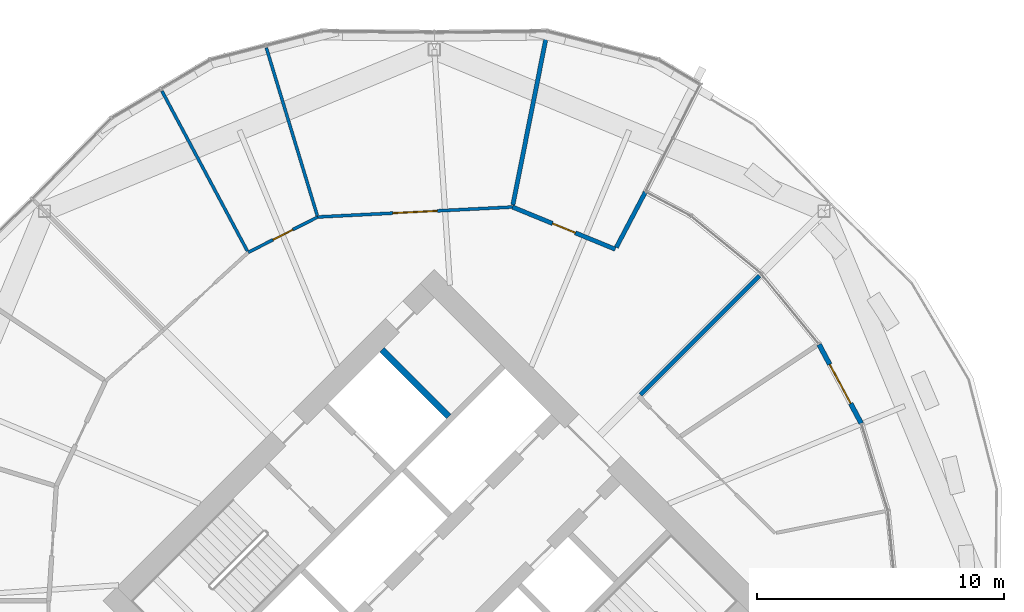
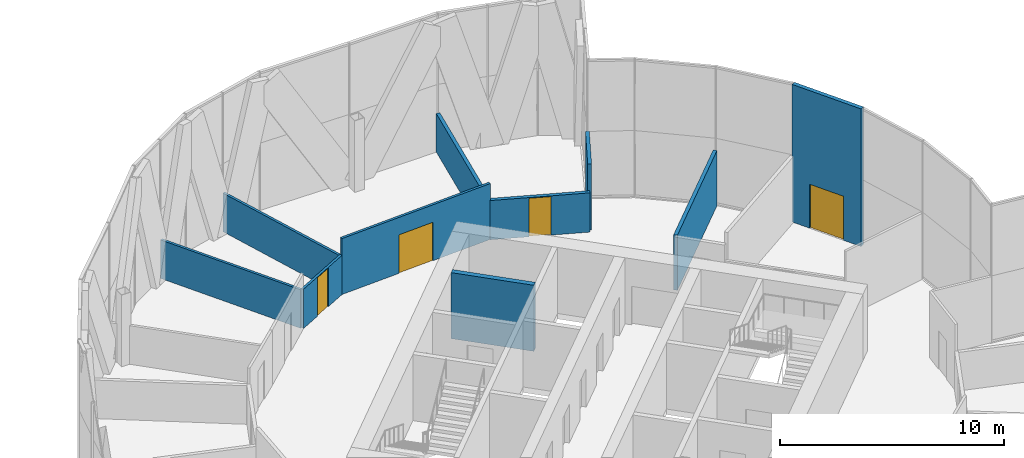
# One storey, part 23 of 27: 10 walls, 4 doors, 4 openings.
"""IFC4 building model written with IfcOpenShell, lengths in metres."""

from ifc_helpers import new_model, si_unit, direction, frame, frame_2d, origin, place, context, subcontext, project, spatial, rectangle, extrude, material, layer, layer_set, type_object, element, fill, save


model = new_model("IFC4")

# Units and contexts
model_context = context("Model", 3, precision=1e-05, world=origin(), true_north=direction((0.0, 1.0)))
body_context = subcontext(model_context, "Body", "Model", "MODEL_VIEW")
ifc_project = project(units=[si_unit("LENGTHUNIT", "METRE"), si_unit("AREAUNIT", "SQUARE_METRE"), si_unit("VOLUMEUNIT", "CUBIC_METRE"), si_unit("PLANEANGLEUNIT", "RADIAN"), si_unit("MASSUNIT", "GRAM", prefix="KILO")], contexts=[model_context])

# Site, building, storey
site_placement = place(None, origin())
site = spatial("IfcSite", under=ifc_project, at=site_placement, CompositionType="ELEMENT")
building_placement = place(site_placement, origin())
building = spatial("IfcBuilding", under=site, at=building_placement, Name="Ogive Gate Towers", CompositionType="ELEMENT")
storey_placement = place(building_placement, frame((0.0, 0.0, 123.0)))
storey = spatial("IfcBuildingStorey", under=building, at=storey_placement, Name="L29", CompositionType="ELEMENT", Elevation=123.0)

# Walls
ifc_material_1 = material(Name="Gypsum board acoustic partition")
ifc_layer_1 = layer(ifc_material_1, 0.175048828125)
ifc_layer_set_1 = layer_set([ifc_layer_1], Name="Acoustic partition 175")
wall_type_1 = type_object("IfcWallType", Name="Acoustic partition 175", PredefinedType="PARTITIONING", material=ifc_layer_set_1)
wall_1_placement = place(storey_placement, frame((49.187255859375, 13.187255859375, 0.0), z_axis=(0.0, 0.0, 1.0), x_axis=(-0.707106781187, -0.707106781187, 0.0)))
element("IfcWall", 1, at=wall_1_placement, inside=storey, type_object=wall_type_1, Name="Partition T2-L29-003", PredefinedType="PARTITIONING", context=body_context, shape_type="SweptSolid", body=[
    extrude(rectangle(XDim=6.83154296875, YDim=0.175048828125, at=frame_2d((3.415771484375, 0.0))), origin(), (0.0, 0.0, 1.0), 3.010009765625),
])
wall_2_placement = place(storey_placement, frame((44.561279296875, 16.58251953125, 0.0), z_axis=(0.0, 0.0, 1.0), x_axis=(-0.465001537554, -0.885309872346, 0.0)))
element("IfcWall", 2, at=wall_2_placement, inside=storey, type_object=wall_type_1, Name="Partition T2-L29-004", PredefinedType="PARTITIONING", context=body_context, shape_type="SweptSolid", body=[
    extrude(rectangle(XDim=2.5400390625, YDim=0.175048828125, at=frame_2d((1.27001953125, 0.0))), origin(), (0.0, 0.0, 1.0), 3.60009765625),
])
wall_3_placement = place(storey_placement, frame((40.5673828125, 23.00048828125, 0.0), z_axis=(0.0, 0.0, 1.0), x_axis=(-0.194789952069, -0.980844979889, 0.0)))
element("IfcWall", 3, at=wall_3_placement, inside=storey, type_object=wall_type_1, Name="Partition T2-L29-005", PredefinedType="PARTITIONING", context=body_context, shape_type="SweptSolid", body=[
    extrude(rectangle(XDim=7.08154296875, YDim=0.175048828125, at=frame_2d((3.540771484375, 0.0))), origin(), (0.0, 0.0, 1.0), 2.10009765625),
])

# Wall, opening, door
wall_4_placement = place(storey_placement, frame((39.1708984375, 15.96875, 0.0), z_axis=(0.0, 0.0, 1.0), x_axis=(0.924996361834, -0.379975960547, 0.0)))
wall_4 = element("IfcWall", 4, at=wall_4_placement, inside=storey, type_object=wall_type_1, Name="Partition T2-L29-034", PredefinedType="PARTITIONING", context=body_context, shape_type="SweptSolid", body=[
    extrude(rectangle(XDim=4.50732421875, YDim=0.175048828125, at=frame_2d((2.253662109375, 0.0))), origin(), (0.0, 0.0, 1.0), 2.139892578125),
])
opening_1_placement = place(wall_4_placement, frame((1.75390625, 0.0, 0.0)))
opening_1 = element("IfcOpeningElement", 5, at=opening_1_placement, cuts=wall_4, Name="Opening T2-L29-D11", PredefinedType="OPENING", context=body_context, shape_type="SweptSolid", body=[
    extrude(rectangle(XDim=1.0, YDim=2.10009765625, at=frame_2d((0.5, 1.050048828125))), frame((0.0, 0.09765625, 0.0), z_axis=(0.0, -1.0, 0.0), x_axis=(1.0, 0.0, 0.0)), (0.0, 0.0, 1.0), 0.195068359375),
])
ifc_material_2 = material(Name="Timber door", Category="wood")
door_type_1 = type_object("IfcDoorType", Name="Door 1000", OperationType="NOTDEFINED", PredefinedType="DOOR", material=ifc_material_2)
door_1_placement = place(opening_1_placement, origin())
door_1 = element("IfcDoor", 6, at=door_1_placement, inside=storey, type_object=door_type_1, Name="Door T2-L29-D11", OperationType="SINGLE_SWING_LEFT", OverallHeight=2.10009765625, OverallWidth=1.0, PredefinedType="DOOR", context=body_context, shape_type="SweptSolid", body=[
    extrude(rectangle(XDim=1.0, YDim=2.10009765625, at=frame_2d((0.5, 1.050048828125))), frame((0.0, 0.02490234375, 0.0), z_axis=(0.0, -1.0, 0.0), x_axis=(1.0, 0.0, 0.0)), (0.0, 0.0, 1.0), 0.050048828125),
])
fill(opening_1, door_1)

ifc_material_3 = material(Name="Pale metal aluminium", Category="aluminium")
ifc_layer_2 = layer(ifc_material_3, 0.199951171875)
ifc_layer_set_2 = layer_set([ifc_layer_2], Name="Garden infill wall")
wall_type_2 = type_object("IfcWallType", Name="Garden infill wall", PredefinedType="SOLIDWALL", material=ifc_layer_set_2)
wall_5_placement = place(storey_placement, frame((51.602294921875, 10.395263671875, 0.0), z_axis=(0.0, 0.0, 1.0), x_axis=(0.471342957375, -0.881950007956, 0.0)))
wall_5 = element("IfcWall", 7, at=wall_5_placement, inside=storey, type_object=wall_type_2, Name="Garden infill wall", PredefinedType="SOLIDWALL", context=body_context, shape_type="SweptSolid", body=[
    extrude(rectangle(XDim=3.625732421875, YDim=0.199951171875, at=frame_2d((1.81298828125, 0.0))), origin(), (0.0, 0.0, 1.0), 7.5),
])
opening_2_placement = place(wall_5_placement, frame((0.912841796875, 0.0, 0.0)))
opening_2 = element("IfcOpeningElement", 8, at=opening_2_placement, cuts=wall_5, Name="Opening ED1-L29-01", PredefinedType="OPENING", context=body_context, shape_type="SweptSolid", body=[
    extrude(rectangle(XDim=1.800048828125, YDim=2.39990234375, at=frame_2d((0.89990234375, 1.199951171875))), frame((0.0, 0.10986328125, 0.0), z_axis=(0.0, -1.0, 0.0), x_axis=(1.0, 0.0, 0.0)), (0.0, 0.0, 1.0), 0.219970703125),
])
door_type_2 = type_object("IfcDoorType", Name="Garden door 1800 x 2400", OperationType="DOUBLE_DOOR_SINGLE_SWING", PredefinedType="DOOR", material=ifc_material_3)
door_2_placement = place(opening_2_placement, origin())
door_2 = element("IfcDoor", 9, at=door_2_placement, inside=storey, type_object=door_type_2, Name="Garden door", OperationType="SINGLE_SWING_LEFT", OverallHeight=2.39990234375, OverallWidth=1.800048828125, PredefinedType="DOOR", context=body_context, shape_type="SweptSolid", body=[
    extrude(rectangle(XDim=1.800048828125, YDim=2.39990234375, at=frame_2d((0.89990234375, 1.199951171875))), frame((0.0, 0.02490234375, 0.0), z_axis=(0.0, -1.0, 0.0), x_axis=(1.0, 0.0, 0.0)), (0.0, 0.0, 1.0), 0.050048828125),
])
fill(opening_2, door_2)

# Walls
ifc_material_4 = material(Name="Gypsum board partition")
ifc_layer_3 = layer(ifc_material_4, 0.125)
ifc_layer_set_3 = layer_set([ifc_layer_3], Name="Partition 125")
wall_type_3 = type_object("IfcWallType", Name="Partition 125", PredefinedType="PARTITIONING", material=ifc_layer_set_3)
wall_6_placement = place(storey_placement, frame((29.19140625, 22.4248046875, 0.0), z_axis=(0.0, 0.0, 1.0), x_axis=(0.290532718115, -0.956865058253, 0.0)))
element("IfcWall", 10, at=wall_6_placement, inside=storey, type_object=wall_type_3, Name="Partition T2-L29-006", PredefinedType="PARTITIONING", context=body_context, shape_type="SweptSolid", body=[
    extrude(rectangle(XDim=7.106689453125, YDim=0.125, at=frame_2d((3.55322265625, 0.0))), origin(), (0.0, 0.0, 1.0), 2.10009765625),
])
wall_7_placement = place(storey_placement, frame((24.9580078125, 20.671142578125, 0.0), z_axis=(0.0, 0.0, 1.0), x_axis=(0.471158290379, -0.882048675192, 0.0)))
element("IfcWall", 11, at=wall_7_placement, inside=storey, type_object=wall_type_3, Name="Partition T2-L29-007", PredefinedType="PARTITIONING", context=body_context, shape_type="SweptSolid", body=[
    extrude(rectangle(XDim=7.3564453125, YDim=0.125, at=frame_2d((3.67822265625, 0.0))), origin(), (0.0, 0.0, 1.0), 2.10009765625),
])

# Wall, opening, door
wall_8_placement = place(storey_placement, frame((28.45361328125, 14.127197265625, 0.0), z_axis=(0.0, 0.0, 1.0), x_axis=(0.890930007864, 0.454140640207, 0.0)))
wall_8 = element("IfcWall", 12, at=wall_8_placement, inside=storey, type_object=wall_type_3, Name="Partition T2-L29-032", PredefinedType="PARTITIONING", context=body_context, shape_type="SweptSolid", body=[
    extrude(rectangle(XDim=3.165771484375, YDim=0.125, at=frame_2d((1.5830078125, 0.0))), origin(), (0.0, 0.0, 1.0), 2.139892578125),
])
opening_3_placement = place(wall_8_placement, frame((1.133056640625, 0.0, 0.0)))
opening_3 = element("IfcOpeningElement", 13, at=opening_3_placement, cuts=wall_8, Name="Opening T2-L29-D09", PredefinedType="OPENING", context=body_context, shape_type="SweptSolid", body=[
    extrude(rectangle(XDim=0.89990234375, YDim=2.10009765625, at=frame_2d((0.449951171875, 1.050048828125))), frame((0.0, 0.072509765625, 0.0), z_axis=(0.0, -1.0, 0.0), x_axis=(1.0, 0.0, 0.0)), (0.0, 0.0, 1.0), 0.14501953125),
])
door_type_3 = type_object("IfcDoorType", Name="Door 900", OperationType="NOTDEFINED", PredefinedType="DOOR", material=ifc_material_2)
door_3_placement = place(opening_3_placement, origin())
door_3 = element("IfcDoor", 14, at=door_3_placement, inside=storey, type_object=door_type_3, Name="Door T2-L29-D09", OperationType="SINGLE_SWING_LEFT", OverallHeight=2.10009765625, OverallWidth=0.89990234375, PredefinedType="DOOR", context=body_context, shape_type="SweptSolid", body=[
    extrude(rectangle(XDim=0.89990234375, YDim=2.10009765625, at=frame_2d((0.449951171875, 1.050048828125))), frame((0.0, 0.02490234375, 0.0), z_axis=(0.0, -1.0, 0.0), x_axis=(1.0, 0.0, 0.0)), (0.0, 0.0, 1.0), 0.050048828125),
])
fill(opening_3, door_3)

wall_9_placement = place(storey_placement, frame((31.274169921875, 15.56494140625, 0.0), z_axis=(0.0, 0.0, 1.0), x_axis=(0.998695103722, 0.051069460552, 0.0)))
wall_9 = element("IfcWall", 15, at=wall_9_placement, inside=storey, type_object=wall_type_3, Name="Partition T2-L29-033", PredefinedType="PARTITIONING", context=body_context, shape_type="SweptSolid", body=[
    extrude(rectangle(XDim=7.906982421875, YDim=0.125, at=frame_2d((3.95361328125, 0.0))), origin(), (0.0, 0.0, 1.0), 3.050048828125),
])
opening_4_placement = place(wall_9_placement, frame((3.053955078125, 0.0, 0.0)))
opening_4 = element("IfcOpeningElement", 16, at=opening_4_placement, cuts=wall_9, Name="Opening T2-L29-D10", PredefinedType="OPENING", context=body_context, shape_type="SweptSolid", body=[
    extrude(rectangle(XDim=1.800048828125, YDim=2.10009765625, at=frame_2d((0.89990234375, 1.050048828125))), frame((0.0, 0.072509765625, 0.0), z_axis=(0.0, -1.0, 0.0), x_axis=(1.0, 0.0, 0.0)), (0.0, 0.0, 1.0), 0.14501953125),
])
door_type_4 = type_object("IfcDoorType", Name="Door pair 1800", OperationType="NOTDEFINED", PredefinedType="DOOR", material=ifc_material_2)
door_4_placement = place(opening_4_placement, origin())
door_4 = element("IfcDoor", 17, at=door_4_placement, inside=storey, type_object=door_type_4, Name="Door T2-L29-D10", OperationType="DOUBLE_DOOR_DOUBLE_SWING", OverallHeight=2.10009765625, OverallWidth=1.800048828125, PredefinedType="DOOR", context=body_context, shape_type="SweptSolid", body=[
    extrude(rectangle(XDim=1.800048828125, YDim=2.10009765625, at=frame_2d((0.89990234375, 1.050048828125))), frame((0.0, 0.02490234375, 0.0), z_axis=(0.0, -1.0, 0.0), x_axis=(1.0, 0.0, 0.0)), (0.0, 0.0, 1.0), 0.050048828125),
])
fill(opening_4, door_4)

# Wall
ifc_material_5 = material(Name="Concrete C60/75", Category="concrete")
ifc_layer_4 = layer(ifc_material_5, 0.25)
ifc_layer_set_4 = layer_set([ifc_layer_4], Name="Shaft wall 250 mm")
wall_type_4 = type_object("IfcWallType", Name="Shaft wall 250 mm", PredefinedType="SHEAR", material=ifc_layer_set_4)
wall_10_placement = place(storey_placement, frame((36.58349609375, 7.477783203125, 0.0), z_axis=(0.0, 0.0, 1.0), x_axis=(-0.707138693938, 0.707074866995, 0.0)))
element("IfcWall", 18, at=wall_10_placement, inside=storey, type_object=wall_type_4, Name="T2 L29 Shaft wall 250 mm", PredefinedType="SHEAR", context=body_context, shape_type="SweptSolid", body=[
    extrude(rectangle(XDim=3.824951171875, YDim=0.25, at=frame_2d((1.91259765625, 0.0))), origin(), (0.0, 0.0, 1.0), 3.60009765625),
])

save(model, "model.ifc")
